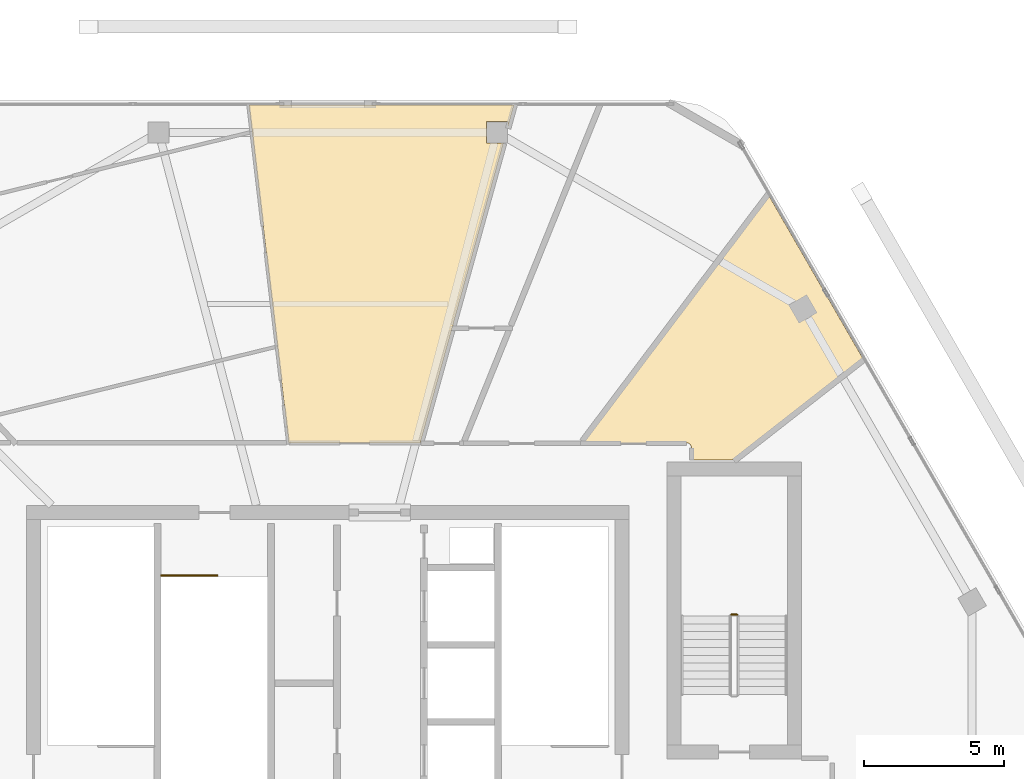
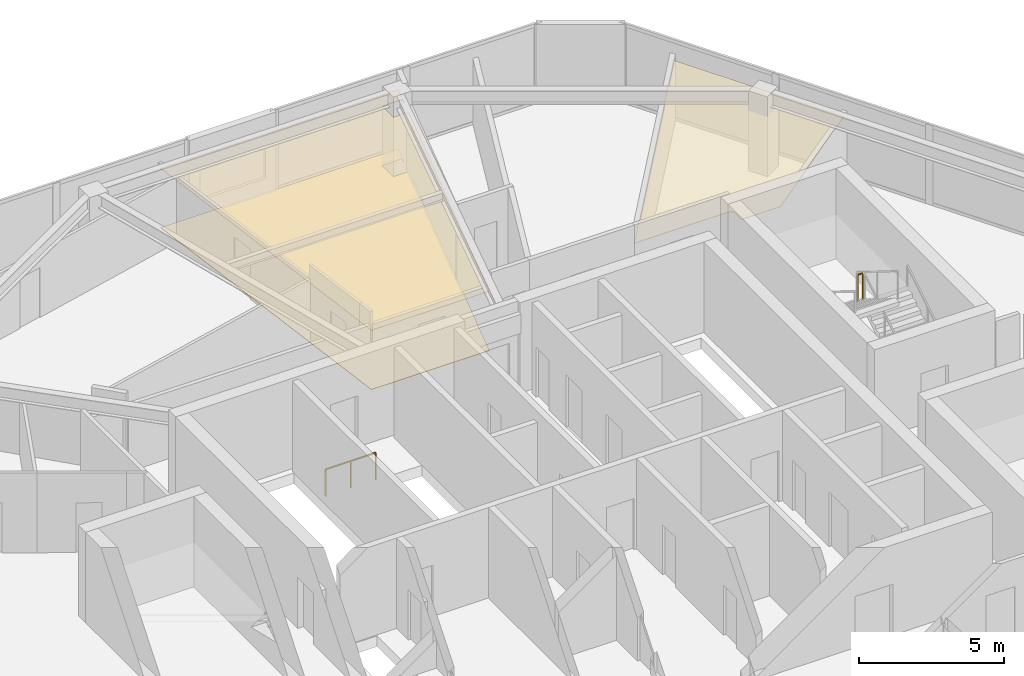
# One storey, part 22 of 22: 3 coverings, 2 railings.
"""IFC4 building model written with IfcOpenShell, lengths in metres."""

from ifc_helpers import new_model, si_unit, direction, frame, origin, origin_2d, place, context, subcontext, project, spatial, polyline, rectangle, outline, extrude, material, layer, layer_set, type_object, element, save


model = new_model("IFC4")

# Units and contexts
model_context = context("Model", 3, precision=1e-05, world=origin(), true_north=direction((0.0, 1.0)))
body_context = subcontext(model_context, "Body", "Model", "MODEL_VIEW")
ifc_project = project(units=[si_unit("LENGTHUNIT", "METRE"), si_unit("AREAUNIT", "SQUARE_METRE"), si_unit("VOLUMEUNIT", "CUBIC_METRE"), si_unit("PLANEANGLEUNIT", "RADIAN"), si_unit("MASSUNIT", "GRAM", prefix="KILO")], contexts=[model_context])

# Site, building, storey
site_placement = place(None, origin())
site = spatial("IfcSite", under=ifc_project, at=site_placement, CompositionType="ELEMENT")
building_placement = place(site_placement, origin())
building = spatial("IfcBuilding", under=site, at=building_placement, Name="Zuhravey Tower", CompositionType="ELEMENT")
storey_placement = place(building_placement, frame((0.0, 0.0, 357.60009765625)))
storey = spatial("IfcBuildingStorey", under=building, at=storey_placement, Name="L91", CompositionType="ELEMENT", Elevation=357.60009765625)

# Coverings
ifc_material_1 = material(Name="Mineral-fibre acoustic ceiling tile")
ifc_layer_1 = layer(ifc_material_1, 0.02490234375)
ifc_layer_set_1 = layer_set([ifc_layer_1], Name="Mineral-fibre acoustic ceiling tile")
covering_type_1 = type_object("IfcCoveringType", Name="Acoustic Suspended Ceiling", PredefinedType="CEILING", material=ifc_layer_set_1)
covering_1_placement = place(storey_placement, frame((0.0, 0.0, 2.489990234375)))
element("IfcCovering", 1, at=covering_1_placement, inside=storey, type_object=covering_type_1, Name="L91 Acoustic Suspended Ceiling CLG1", PredefinedType="CEILING", context=body_context, shape_type="SweptSolid", body=[
    extrude(outline(polyline([(42.423583984375, 55.238037109375), (42.423583984375, 55.44921875), (41.65380859375, 55.44921875), (41.65380859375, 54.67919921875), (42.268798828125, 54.67919921875), (39.301513671875, 43.97998046875), (34.6064453125, 43.97998046875), (33.18408203125, 56.0341796875), (42.64453125, 56.0341796875), (42.423583984375, 55.238037109375)])), origin(), (0.0, 0.0, 1.0), 0.02490234375),
])
ifc_material_2 = material(Name="Porcelain tile finish")
ifc_layer_2 = layer(ifc_material_2, 0.02001953125)
ifc_layer_set_2 = layer_set([ifc_layer_2], Name="Porcelain tile finish")
covering_type_2 = type_object("IfcCoveringType", Name="Apartment Ondol Porcelain Flooring", PredefinedType="FLOORING", material=ifc_layer_set_2)
covering_2_placement = place(storey_placement, origin())
element("IfcCovering", 2, at=covering_2_placement, inside=storey, type_object=covering_type_2, Name="L91 Principal Room Acoustic Flooring", PredefinedType="FLOORING", context=body_context, shape_type="SweptSolid", body=[
    extrude(outline(polyline([(42.423583984375, 55.238037109375), (42.423583984375, 55.44921875), (41.65380859375, 55.44921875), (41.65380859375, 54.67919921875), (42.268798828125, 54.67919921875), (39.301513671875, 43.97998046875), (34.6064453125, 43.97998046875), (33.18408203125, 56.0341796875), (42.64453125, 56.0341796875), (42.423583984375, 55.238037109375)])), origin(), (0.0, 0.0, 1.0), 0.02001953125),
])
ifc_material_3 = material(Name="Moisture-resistant gypsum ceiling board")
ifc_layer_3 = layer(ifc_material_3, 0.02001953125)
ifc_layer_set_3 = layer_set([ifc_layer_3], Name="Moisture-resistant gypsum ceiling board")
covering_type_3 = type_object("IfcCoveringType", Name="Moisture-Resistant Ceiling", PredefinedType="CEILING", material=ifc_layer_set_3)
covering_3_placement = place(storey_placement, frame((0.0, 0.0, 2.489990234375)))
element("IfcCovering", 3, at=covering_3_placement, inside=storey, type_object=covering_type_3, Name="L91 Wet-Room Ceiling CLG2", PredefinedType="CEILING", context=body_context, shape_type="SweptSolid", body=[
    extrude(outline(polyline([(50.5205078125, 43.3701171875), (48.97998046875, 43.3701171875), (48.97998046875, 43.800048828125), (48.972412109375, 43.851318359375), (48.9501953125, 43.899169921875), (48.914794921875, 43.9384765625), (48.869873046875, 43.9658203125), (48.818603515625, 43.97900390625), (45.052490234375, 43.97998046875), (51.72412109375, 52.833251953125), (55.114990234375, 46.959716796875), (50.5205078125, 43.3701171875)])), origin(), (0.0, 0.0, 1.0), 0.02001953125),
])

# Railings
ifc_material_4 = material(Name="Painted tubular steel", Category="steel")
railing_type = type_object("IfcRailingType", Name="Stair Well Guardrail 1150", PredefinedType="GUARDRAIL", material=ifc_material_4)
railing_1_placement = place(storey_placement, frame((30.050048828125, 39.25, 0.0)))
element("IfcRailing", 4, at=railing_1_placement, inside=storey, type_object=railing_type, Name="L91 ST3 top well guard 1", PredefinedType="GUARDRAIL", context=body_context, shape_type="SweptSolid", body=[
    extrude(rectangle(XDim=0.048095703125, YDim=0.048095703125, at=origin_2d()), frame((0.001953125, 0.0, 1.1259765625), z_axis=(1.0, 0.0, 0.0), x_axis=(0.0, 1.0, 0.0)), (0.0, 0.0, 1.0), 1.99609375),
    extrude(rectangle(XDim=0.0419921875, YDim=0.0419921875, at=origin_2d()), origin(), (0.0, 0.0, 1.0), 1.099853515625),
    extrude(rectangle(XDim=0.0419921875, YDim=0.0419921875, at=origin_2d()), frame((1.0, 0.0, 0.0)), (0.0, 0.0, 1.0), 1.099853515625),
    extrude(rectangle(XDim=0.0419921875, YDim=0.0419921875, at=origin_2d()), frame((2.0, 0.0, 0.0)), (0.0, 0.0, 1.0), 1.099853515625),
])
railing_2_placement = place(storey_placement, frame((50.60009765625, 37.85009765625, 1.89990234375)))
element("IfcRailing", 5, at=railing_2_placement, inside=storey, type_object=railing_type, Name="L91 CST3 stair guard 2", PredefinedType="GUARDRAIL", context=body_context, shape_type="SweptSolid", body=[
    extrude(rectangle(XDim=0.048095703125, YDim=0.048095703125, at=origin_2d()), frame((-0.001953125, 0.0, 1.1259765625), z_axis=(-1.0, 0.0, 0.0), x_axis=(0.0, -1.0, 0.0)), (0.0, 0.0, 1.0), 0.1962890625),
    extrude(rectangle(XDim=0.0419921875, YDim=0.0419921875, at=origin_2d()), origin(), (0.0, 0.0, 1.0), 1.099853515625),
    extrude(rectangle(XDim=0.0419921875, YDim=0.0419921875, at=origin_2d()), frame((-0.2001953125, 0.0, 0.0)), (0.0, 0.0, 1.0), 1.099853515625),
])

save(model, "model.ifc")
